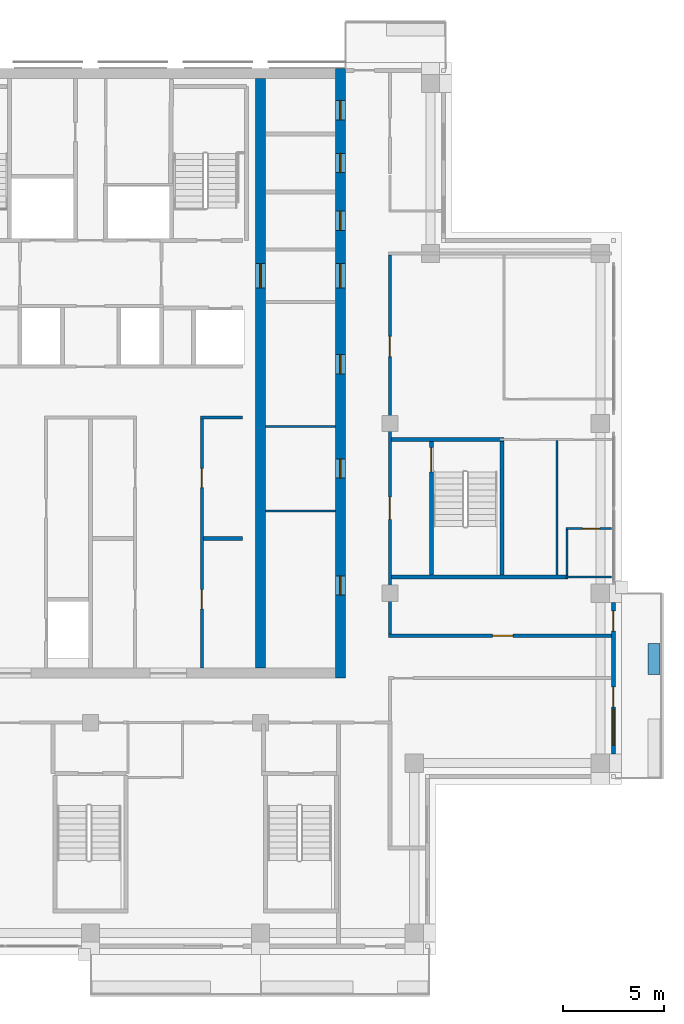
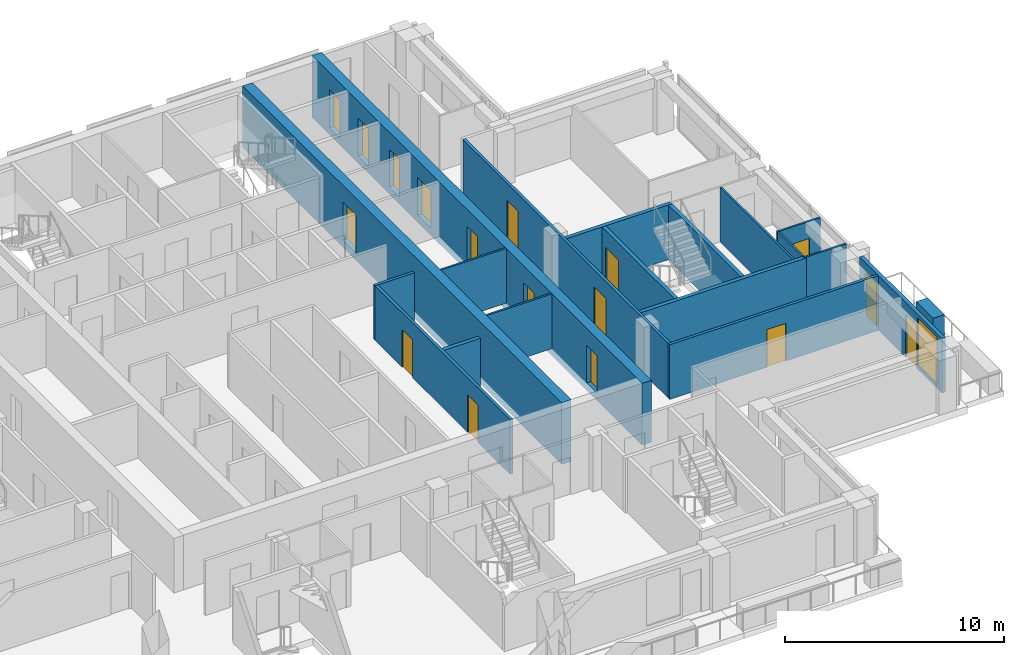
# One storey, part 11 of 17: 19 walls, 17 doors, 1 window, 18 openings.
"""IFC4 building model written with IfcOpenShell, lengths in metres."""

from ifc_helpers import new_model, si_unit, direction, frame, frame_2d, origin, place, context, subcontext, project, spatial, rectangle, extrude, material, layer, layer_set, type_object, element, fill, save


model = new_model("IFC4")

# Units and contexts
model_context = context("Model", 3, precision=1e-05, world=origin(), true_north=direction((0.0, 1.0)))
body_context = subcontext(model_context, "Body", "Model", "MODEL_VIEW")
ifc_project = project(units=[si_unit("LENGTHUNIT", "METRE"), si_unit("AREAUNIT", "SQUARE_METRE"), si_unit("VOLUMEUNIT", "CUBIC_METRE"), si_unit("PLANEANGLEUNIT", "RADIAN"), si_unit("MASSUNIT", "GRAM", prefix="KILO")], contexts=[model_context])

# Site, building, storey
site_placement = place(None, origin())
site = spatial("IfcSite", under=ifc_project, at=site_placement, CompositionType="ELEMENT")
building_placement = place(site_placement, origin())
building = spatial("IfcBuilding", under=site, at=building_placement, Name="Vermilion Ogive Tower", CompositionType="ELEMENT")
storey_placement = place(building_placement, frame((0.0, 0.0, 257.949951171875)))
storey = spatial("IfcBuildingStorey", under=building, at=storey_placement, Name="L68", CompositionType="ELEMENT", Elevation=257.949951171875)

# Wall, openings, doors
ifc_material_1 = material(Name="Concrete B60", Category="concrete")
ifc_layer_1 = layer(ifc_material_1, 0.5)
ifc_layer_set_1 = layer_set([ifc_layer_1], Name="Core wall 500 B60")
wall_type_1 = type_object("IfcWallType", Name="Core wall 500 B60", PredefinedType="SHEAR", material=ifc_layer_set_1)
wall_1_placement = place(storey_placement, frame((12.35009765625, -8.39990234375, -0.39990234375), z_axis=(0.0, 0.0, 1.0), x_axis=(0.0, 1.0, 0.0)))
wall_1 = element("IfcWall", 1, at=wall_1_placement, inside=storey, type_object=wall_type_1, Name="L68-CORE-E", PredefinedType="SHEAR", context=body_context, shape_type="SweptSolid", body=[
    extrude(rectangle(XDim=30.14990234375, YDim=0.5, at=frame_2d((15.074951171875, 0.0))), origin(), (0.0, 0.0, 1.0), 3.449951171875),
])
opening_1_placement = place(wall_1_placement, frame((4.112548828125, 0.0, 0.39990234375)))
opening_1 = element("IfcOpeningElement", 2, at=opening_1_placement, cuts=wall_1, Name="Opening DAC122", PredefinedType="OPENING", context=body_context, shape_type="SweptSolid", body=[
    extrude(rectangle(XDim=0.949951171875, YDim=2.10009765625, at=frame_2d((0.47509765625, 1.050048828125))), frame((0.0, 0.260009765625, 0.0), z_axis=(0.0, -1.0, 0.0), x_axis=(1.0, 0.0, 0.0)), (0.0, 0.0, 1.0), 0.52001953125),
])
opening_2_placement = place(wall_1_placement, frame((9.8896484375, 0.0, 0.39990234375)))
opening_2 = element("IfcOpeningElement", 3, at=opening_2_placement, cuts=wall_1, Name="Opening DAC123", PredefinedType="OPENING", context=body_context, shape_type="SweptSolid", body=[
    extrude(rectangle(XDim=0.949951171875, YDim=2.10009765625, at=frame_2d((0.47509765625, 1.050048828125))), frame((0.0, 0.260009765625, 0.0), z_axis=(0.0, -1.0, 0.0), x_axis=(1.0, 0.0, 0.0)), (0.0, 0.0, 1.0), 0.52001953125),
])
opening_3_placement = place(wall_1_placement, frame((15.052001953125, 0.0, 0.39990234375)))
opening_3 = element("IfcOpeningElement", 4, at=opening_3_placement, cuts=wall_1, Name="Opening DAC124", PredefinedType="OPENING", context=body_context, shape_type="SweptSolid", body=[
    extrude(rectangle(XDim=0.949951171875, YDim=2.10009765625, at=frame_2d((0.47509765625, 1.050048828125))), frame((0.0, 0.260009765625, 0.0), z_axis=(0.0, -1.0, 0.0), x_axis=(1.0, 0.0, 0.0)), (0.0, 0.0, 1.0), 0.52001953125),
])
opening_4_placement = place(wall_1_placement, frame((22.1435546875, 0.0, 0.39990234375)))
opening_4 = element("IfcOpeningElement", 5, at=opening_4_placement, cuts=wall_1, Name="Opening DAC125", PredefinedType="OPENING", context=body_context, shape_type="SweptSolid", body=[
    extrude(rectangle(XDim=0.949951171875, YDim=2.10009765625, at=frame_2d((0.47509765625, 1.050048828125))), frame((0.0, 0.260009765625, 0.0), z_axis=(0.0, -1.0, 0.0), x_axis=(1.0, 0.0, 0.0)), (0.0, 0.0, 1.0), 0.52001953125),
])
opening_5_placement = place(wall_1_placement, frame((24.998291015625, 0.0, 0.39990234375)))
opening_5 = element("IfcOpeningElement", 6, at=opening_5_placement, cuts=wall_1, Name="Opening DAC126", PredefinedType="OPENING", context=body_context, shape_type="SweptSolid", body=[
    extrude(rectangle(XDim=0.949951171875, YDim=2.10009765625, at=frame_2d((0.47509765625, 1.050048828125))), frame((0.0, 0.260009765625, 0.0), z_axis=(0.0, -1.0, 0.0), x_axis=(1.0, 0.0, 0.0)), (0.0, 0.0, 1.0), 0.52001953125),
])
opening_6_placement = place(wall_1_placement, frame((27.604736328125, 0.0, 0.39990234375)))
opening_6 = element("IfcOpeningElement", 7, at=opening_6_placement, cuts=wall_1, Name="Opening DAC127", PredefinedType="OPENING", context=body_context, shape_type="SweptSolid", body=[
    extrude(rectangle(XDim=0.949951171875, YDim=2.10009765625, at=frame_2d((0.47509765625, 1.050048828125))), frame((0.0, 0.260009765625, 0.0), z_axis=(0.0, -1.0, 0.0), x_axis=(1.0, 0.0, 0.0)), (0.0, 0.0, 1.0), 0.52001953125),
])
opening_7_placement = place(wall_1_placement, frame((19.300048828125, 0.0, 0.39990234375)))
opening_7 = element("IfcOpeningElement", 8, at=opening_7_placement, cuts=wall_1, Name="Opening DAL028", PredefinedType="OPENING", context=body_context, shape_type="SweptSolid", body=[
    extrude(rectangle(XDim=1.199951171875, YDim=2.10009765625, at=frame_2d((0.60009765625, 1.050048828125))), frame((0.0, 0.260009765625, 0.0), z_axis=(0.0, -1.0, 0.0), x_axis=(1.0, 0.0, 0.0)), (0.0, 0.0, 1.0), 0.52001953125),
])
ifc_material_2 = material(Name="Timber door leaf", Category="wood")
door_type_1 = type_object("IfcDoorType", Name="Link door 1200 x 2100 FD60S", OperationType="SINGLE_SWING_LEFT", PredefinedType="DOOR", material=ifc_material_2)
door_1_placement = place(opening_7_placement, origin())
door_1 = element("IfcDoor", 9, at=door_1_placement, inside=storey, type_object=door_type_1, Name="L68-CKE-XL", OperationType="SINGLE_SWING_LEFT", OverallHeight=2.10009765625, OverallWidth=1.199951171875, PredefinedType="DOOR", context=body_context, shape_type="SweptSolid", body=[
    extrude(rectangle(XDim=1.199951171875, YDim=2.10009765625, at=frame_2d((0.60009765625, 1.050048828125))), frame((0.0, 0.02490234375, 0.0), z_axis=(0.0, -1.0, 0.0), x_axis=(1.0, 0.0, 0.0)), (0.0, 0.0, 1.0), 0.050048828125),
])
fill(opening_7, door_1)
ifc_material_3 = material(Name="Timber door leaf", Category="wood")
door_type_2 = type_object("IfcDoorType", Name="Service door 950 x 2100 FD60", OperationType="SINGLE_SWING_LEFT", PredefinedType="DOOR", material=ifc_material_3)
door_2_placement = place(opening_1_placement, origin())
door_2 = element("IfcDoor", 10, at=door_2_placement, inside=storey, type_object=door_type_2, Name="L68-CKE-XR0", OperationType="SINGLE_SWING_LEFT", OverallHeight=2.10009765625, OverallWidth=0.949951171875, PredefinedType="DOOR", context=body_context, shape_type="SweptSolid", body=[
    extrude(rectangle(XDim=0.949951171875, YDim=2.10009765625, at=frame_2d((0.47509765625, 1.050048828125))), frame((0.0, 0.02490234375, 0.0), z_axis=(0.0, -1.0, 0.0), x_axis=(1.0, 0.0, 0.0)), (0.0, 0.0, 1.0), 0.050048828125),
])
fill(opening_1, door_2)
door_3_placement = place(opening_2_placement, origin())
door_3 = element("IfcDoor", 11, at=door_3_placement, inside=storey, type_object=door_type_2, Name="L68-CKE-XR1", OperationType="SINGLE_SWING_LEFT", OverallHeight=2.10009765625, OverallWidth=0.949951171875, PredefinedType="DOOR", context=body_context, shape_type="SweptSolid", body=[
    extrude(rectangle(XDim=0.949951171875, YDim=2.10009765625, at=frame_2d((0.47509765625, 1.050048828125))), frame((0.0, 0.02490234375, 0.0), z_axis=(0.0, -1.0, 0.0), x_axis=(1.0, 0.0, 0.0)), (0.0, 0.0, 1.0), 0.050048828125),
])
fill(opening_2, door_3)
door_4_placement = place(opening_3_placement, origin())
door_4 = element("IfcDoor", 12, at=door_4_placement, inside=storey, type_object=door_type_2, Name="L68-CKE-XR2", OperationType="SINGLE_SWING_LEFT", OverallHeight=2.10009765625, OverallWidth=0.949951171875, PredefinedType="DOOR", context=body_context, shape_type="SweptSolid", body=[
    extrude(rectangle(XDim=0.949951171875, YDim=2.10009765625, at=frame_2d((0.47509765625, 1.050048828125))), frame((0.0, 0.02490234375, 0.0), z_axis=(0.0, -1.0, 0.0), x_axis=(1.0, 0.0, 0.0)), (0.0, 0.0, 1.0), 0.050048828125),
])
fill(opening_3, door_4)
door_5_placement = place(opening_4_placement, origin())
door_5 = element("IfcDoor", 13, at=door_5_placement, inside=storey, type_object=door_type_2, Name="L68-CKE-XR3", OperationType="SINGLE_SWING_LEFT", OverallHeight=2.10009765625, OverallWidth=0.949951171875, PredefinedType="DOOR", context=body_context, shape_type="SweptSolid", body=[
    extrude(rectangle(XDim=0.949951171875, YDim=2.10009765625, at=frame_2d((0.47509765625, 1.050048828125))), frame((0.0, 0.02490234375, 0.0), z_axis=(0.0, -1.0, 0.0), x_axis=(1.0, 0.0, 0.0)), (0.0, 0.0, 1.0), 0.050048828125),
])
fill(opening_4, door_5)
door_6_placement = place(opening_5_placement, origin())
door_6 = element("IfcDoor", 14, at=door_6_placement, inside=storey, type_object=door_type_2, Name="L68-CKE-XR4", OperationType="SINGLE_SWING_LEFT", OverallHeight=2.10009765625, OverallWidth=0.949951171875, PredefinedType="DOOR", context=body_context, shape_type="SweptSolid", body=[
    extrude(rectangle(XDim=0.949951171875, YDim=2.10009765625, at=frame_2d((0.47509765625, 1.050048828125))), frame((0.0, 0.02490234375, 0.0), z_axis=(0.0, -1.0, 0.0), x_axis=(1.0, 0.0, 0.0)), (0.0, 0.0, 1.0), 0.050048828125),
])
fill(opening_5, door_6)
door_7_placement = place(opening_6_placement, origin())
door_7 = element("IfcDoor", 15, at=door_7_placement, inside=storey, type_object=door_type_2, Name="L68-CKE-XR5", OperationType="SINGLE_SWING_LEFT", OverallHeight=2.10009765625, OverallWidth=0.949951171875, PredefinedType="DOOR", context=body_context, shape_type="SweptSolid", body=[
    extrude(rectangle(XDim=0.949951171875, YDim=2.10009765625, at=frame_2d((0.47509765625, 1.050048828125))), frame((0.0, 0.02490234375, 0.0), z_axis=(0.0, -1.0, 0.0), x_axis=(1.0, 0.0, 0.0)), (0.0, 0.0, 1.0), 0.050048828125),
])
fill(opening_6, door_7)

# Wall, opening, door
wall_2_placement = place(storey_placement, frame((8.39990234375, -7.89990234375, -0.39990234375), z_axis=(0.0, 0.0, 1.0), x_axis=(0.0, 1.0, 0.0)))
wall_2 = element("IfcWall", 16, at=wall_2_placement, inside=storey, type_object=wall_type_1, Name="L68-CORE-WEB2", PredefinedType="SHEAR", context=body_context, shape_type="SweptSolid", body=[
    extrude(rectangle(XDim=29.14990234375, YDim=0.5, at=frame_2d((14.574951171875, 0.0))), origin(), (0.0, 0.0, 1.0), 3.449951171875),
])
opening_8_placement = place(wall_2_placement, frame((18.800048828125, 0.0, 0.39990234375)))
opening_8 = element("IfcOpeningElement", 17, at=opening_8_placement, cuts=wall_2, Name="Opening DAO023", PredefinedType="OPENING", context=body_context, shape_type="SweptSolid", body=[
    extrude(rectangle(XDim=1.199951171875, YDim=2.10009765625, at=frame_2d((0.60009765625, 1.050048828125))), frame((0.0, 0.260009765625, 0.0), z_axis=(0.0, -1.0, 0.0), x_axis=(1.0, 0.0, 0.0)), (0.0, 0.0, 1.0), 0.52001953125),
])
door_8_placement = place(opening_8_placement, origin())
door_8 = element("IfcDoor", 18, at=door_8_placement, inside=storey, type_object=door_type_1, Name="L68-CKE-XW", OperationType="SINGLE_SWING_LEFT", OverallHeight=2.10009765625, OverallWidth=1.199951171875, PredefinedType="DOOR", context=body_context, shape_type="SweptSolid", body=[
    extrude(rectangle(XDim=1.199951171875, YDim=2.10009765625, at=frame_2d((0.60009765625, 1.050048828125))), frame((0.0, 0.02490234375, 0.0), z_axis=(0.0, -1.0, 0.0), x_axis=(1.0, 0.0, 0.0)), (0.0, 0.0, 1.0), 0.050048828125),
])
fill(opening_8, door_8)

# Wall
ifc_material_4 = material(Name="Gypsum board partition on steel studs", Category="steel")
ifc_layer_2 = layer(ifc_material_4, 0.10009765625)
ifc_layer_set_2 = layer_set([ifc_layer_2], Name="Partition 100 bath")
wall_type_2 = type_object("IfcWallType", Name="Partition 100 bath", PredefinedType="PARTITIONING", material=ifc_layer_set_2)
wall_3_placement = place(storey_placement, frame((23.5, -3.39990234375, 0.0), z_axis=(0.0, 0.0, 1.0), x_axis=(1.0, 0.0, 0.0)))
element("IfcWall", 19, at=wall_3_placement, inside=storey, type_object=wall_type_2, Name="L68-W-W021", PredefinedType="PARTITIONING", context=body_context, shape_type="SweptSolid", body=[
    extrude(rectangle(XDim=2.25, YDim=0.10009765625, at=frame_2d((1.125, 0.0))), origin(), (0.0, 0.0, 1.0), 3.050048828125),
])

# Wall, opening, door
wall_4_placement = place(storey_placement, frame((23.5, -1.0, 0.0), z_axis=(0.0, 0.0, 1.0), x_axis=(1.0, 0.0, 0.0)))
wall_4 = element("IfcWall", 20, at=wall_4_placement, inside=storey, type_object=wall_type_2, Name="L68-W-W022", PredefinedType="PARTITIONING", context=body_context, shape_type="SweptSolid", body=[
    extrude(rectangle(XDim=2.25, YDim=0.10009765625, at=frame_2d((1.125, 0.0))), origin(), (0.0, 0.0, 1.0), 3.050048828125),
])
opening_9_placement = place(wall_4_placement, frame((0.824951171875, 0.0, 0.0)))
opening_9 = element("IfcOpeningElement", 21, at=opening_9_placement, cuts=wall_4, Name="Opening D5G5018", PredefinedType="OPENING", context=body_context, shape_type="SweptSolid", body=[
    extrude(rectangle(XDim=0.85009765625, YDim=2.10009765625, at=frame_2d((0.425048828125, 1.050048828125))), frame((0.0, 0.06005859375, 0.0), z_axis=(0.0, -1.0, 0.0), x_axis=(1.0, 0.0, 0.0)), (0.0, 0.0, 1.0), 0.1201171875),
])
ifc_material_5 = material(Name="Timber door leaf", Category="wood")
door_type_3 = type_object("IfcDoorType", Name="Bath door 850 x 2100 FD30", OperationType="SINGLE_SWING_LEFT", PredefinedType="DOOR", material=ifc_material_5)
door_9_placement = place(opening_9_placement, origin())
door_9 = element("IfcDoor", 22, at=door_9_placement, inside=storey, type_object=door_type_3, Name="L68-D-D018", OperationType="SINGLE_SWING_RIGHT", OverallHeight=2.10009765625, OverallWidth=0.85009765625, PredefinedType="DOOR", context=body_context, shape_type="SweptSolid", body=[
    extrude(rectangle(XDim=0.85009765625, YDim=2.10009765625, at=frame_2d((0.425048828125, 1.050048828125))), frame((0.0, 0.02490234375, 0.0), z_axis=(0.0, -1.0, 0.0), x_axis=(1.0, 0.0, 0.0)), (0.0, 0.0, 1.0), 0.050048828125),
])
fill(opening_9, door_9)

# Walls
wall_5_placement = place(storey_placement, frame((23.550048828125, -3.300048828125, 0.0), z_axis=(0.0, 0.0, 1.0), x_axis=(0.0, 1.0, 0.0)))
element("IfcWall", 23, at=wall_5_placement, inside=storey, type_object=wall_type_2, Name="L68-W-W067", PredefinedType="PARTITIONING", context=body_context, shape_type="SweptSolid", body=[
    extrude(rectangle(XDim=2.25, YDim=0.10009765625, at=frame_2d((1.125, 0.0))), origin(), (0.0, 0.0, 1.0), 3.050048828125),
])
for number, where, z_axis, x_axis, name in (
    (24, (8.65087890625, -0.125, 0.0), (0.0, 0.0, 1.0), (1.0, 0.0, 0.0), "L68-CKE-W-W001"),
    (25, (8.65087890625, 4.053955078125, 0.0), (0.0, 0.0, 1.0), (1.0, 0.0, 0.0), "L68-CKE-W-W002"),
):
    element("IfcWall", number, at=place(storey_placement, frame(where, z_axis=z_axis, x_axis=x_axis)), inside=storey, type_object=wall_type_2, Name=name, PredefinedType="PARTITIONING", context=body_context, shape_type="SweptSolid", body=[
        extrude(rectangle(XDim=3.4482421875, YDim=0.10009765625, at=frame_2d((1.72412109375, 0.0))), origin(), (0.0, 0.0, 1.0), 3.050048828125),
    ])
ifc_material_6 = material(Name="Gypsum board partition on steel studs", Category="steel")
ifc_layer_3 = layer(ifc_material_6, 0.10009765625)
ifc_layer_set_3 = layer_set([ifc_layer_3], Name="Partition 100 inner")
wall_type_3 = type_object("IfcWallType", Name="Partition 100 inner", PredefinedType="PARTITIONING", material=ifc_layer_set_3)
wall_6_placement = place(storey_placement, frame((23.050048828125, -3.300048828125, 0.0), z_axis=(0.0, 0.0, 1.0), x_axis=(0.0, 1.0, 0.0)))
element("IfcWall", 26, at=wall_6_placement, inside=storey, type_object=wall_type_3, Name="L68-W-W066", PredefinedType="PARTITIONING", context=body_context, shape_type="SweptSolid", body=[
    extrude(rectangle(XDim=6.650146484375, YDim=0.10009765625, at=frame_2d((3.3251953125, 0.0))), origin(), (0.0, 0.0, 1.0), 3.050048828125),
])

# Wall, opening, door
ifc_material_7 = material(Name="Gypsum board partition on steel studs", Category="steel")
ifc_layer_4 = layer(ifc_material_7, 0.14990234375)
ifc_layer_set_4 = layer_set([ifc_layer_4], Name="Partition 150 corridor")
wall_type_4 = type_object("IfcWallType", Name="Partition 150 corridor", PredefinedType="PARTITIONING", material=ifc_layer_set_4)
wall_7_placement = place(storey_placement, frame((14.72509765625, -6.300048828125, 0.0), z_axis=(0.0, 0.0, 1.0), x_axis=(1.0, 0.0, 0.0)))
wall_7 = element("IfcWall", 27, at=wall_7_placement, inside=storey, type_object=wall_type_4, Name="L68-W-W017", PredefinedType="PARTITIONING", context=body_context, shape_type="SweptSolid", body=[
    extrude(rectangle(XDim=11.02490234375, YDim=0.14990234375, at=frame_2d((5.512451171875, 0.0))), origin(), (0.0, 0.0, 1.0), 3.050048828125),
])
opening_10_placement = place(wall_7_placement, frame((5.14990234375, 0.0, 0.0)))
opening_10 = element("IfcOpeningElement", 28, at=opening_10_placement, cuts=wall_7, Name="Opening D5G5033", PredefinedType="OPENING", context=body_context, shape_type="SweptSolid", body=[
    extrude(rectangle(XDim=1.0, YDim=2.10009765625, at=frame_2d((0.5, 1.050048828125))), frame((0.0, 0.0849609375, 0.0), z_axis=(0.0, -1.0, 0.0), x_axis=(1.0, 0.0, 0.0)), (0.0, 0.0, 1.0), 0.169921875),
])
ifc_material_8 = material(Name="Timber door leaf", Category="wood")
door_type_4 = type_object("IfcDoorType", Name="Unit door 1000 x 2100 FD30S", OperationType="SINGLE_SWING_LEFT", PredefinedType="DOOR", material=ifc_material_8)
door_10_placement = place(opening_10_placement, origin())
door_10 = element("IfcDoor", 29, at=door_10_placement, inside=storey, type_object=door_type_4, Name="L68-D-D033", OperationType="SINGLE_SWING_RIGHT", OverallHeight=2.10009765625, OverallWidth=1.0, PredefinedType="DOOR", context=body_context, shape_type="SweptSolid", body=[
    extrude(rectangle(XDim=1.0, YDim=2.10009765625, at=frame_2d((0.5, 1.050048828125))), frame((0.0, 0.02490234375, 0.0), z_axis=(0.0, -1.0, 0.0), x_axis=(1.0, 0.0, 0.0)), (0.0, 0.0, 1.0), 0.050048828125),
])
fill(opening_10, door_10)

# Wall, openings, doors
wall_8_placement = place(storey_placement, frame((14.800048828125, -6.22509765625, 0.0), z_axis=(0.0, 0.0, 1.0), x_axis=(0.0, 1.0, 0.0)))
wall_8 = element("IfcWall", 30, at=wall_8_placement, inside=storey, type_object=wall_type_4, Name="L68-W-W059", PredefinedType="PARTITIONING", context=body_context, shape_type="SweptSolid", body=[
    extrude(rectangle(XDim=18.75, YDim=0.14990234375, at=frame_2d((9.375, 0.0))), origin(), (0.0, 0.0, 1.0), 3.050048828125),
])
opening_11_placement = place(wall_8_placement, frame((13.72509765625, 0.0, 0.0)))
opening_11 = element("IfcOpeningElement", 31, at=opening_11_placement, cuts=wall_8, Name="Opening D5G5016", PredefinedType="OPENING", context=body_context, shape_type="SweptSolid", body=[
    extrude(rectangle(XDim=1.0, YDim=2.10009765625, at=frame_2d((0.5, 1.050048828125))), frame((0.0, 0.0849609375, 0.0), z_axis=(0.0, -1.0, 0.0), x_axis=(1.0, 0.0, 0.0)), (0.0, 0.0, 1.0), 0.169921875),
])
opening_12_placement = place(wall_8_placement, frame((5.675048828125, 0.0, 0.0)))
opening_12 = element("IfcOpeningElement", 32, at=opening_12_placement, cuts=wall_8, Name="Opening D5G5027", PredefinedType="OPENING", context=body_context, shape_type="SweptSolid", body=[
    extrude(rectangle(XDim=1.10009765625, YDim=2.10009765625, at=frame_2d((0.550048828125, 1.050048828125))), frame((0.0, 0.0849609375, 0.0), z_axis=(0.0, -1.0, 0.0), x_axis=(1.0, 0.0, 0.0)), (0.0, 0.0, 1.0), 0.169921875),
])
ifc_material_9 = material(Name="Timber door leaf", Category="wood")
door_type_5 = type_object("IfcDoorType", Name="Stair door 1100 x 2100 FD60S", OperationType="SINGLE_SWING_LEFT", PredefinedType="DOOR", material=ifc_material_9)
door_11_placement = place(opening_12_placement, origin())
door_11 = element("IfcDoor", 33, at=door_11_placement, inside=storey, type_object=door_type_5, Name="L68-D-D027", OperationType="SINGLE_SWING_LEFT", OverallHeight=2.10009765625, OverallWidth=1.10009765625, PredefinedType="DOOR", context=body_context, shape_type="SweptSolid", body=[
    extrude(rectangle(XDim=1.10009765625, YDim=2.10009765625, at=frame_2d((0.550048828125, 1.050048828125))), frame((0.0, 0.02490234375, 0.0), z_axis=(0.0, -1.0, 0.0), x_axis=(1.0, 0.0, 0.0)), (0.0, 0.0, 1.0), 0.050048828125),
])
fill(opening_12, door_11)
door_12_placement = place(opening_11_placement, origin())
door_12 = element("IfcDoor", 34, at=door_12_placement, inside=storey, type_object=door_type_4, Name="L68-D-D016", OperationType="SINGLE_SWING_RIGHT", OverallHeight=2.10009765625, OverallWidth=1.0, PredefinedType="DOOR", context=body_context, shape_type="SweptSolid", body=[
    extrude(rectangle(XDim=1.0, YDim=2.10009765625, at=frame_2d((0.5, 1.050048828125))), frame((0.0, 0.02490234375, 0.0), z_axis=(0.0, -1.0, 0.0), x_axis=(1.0, 0.0, 0.0)), (0.0, 0.0, 1.0), 0.050048828125),
])
fill(opening_11, door_12)

# Wall
wall_9_placement = place(storey_placement, frame((5.425048828125, 4.5, 0.0), z_axis=(0.0, 0.0, 1.0), x_axis=(1.0, 0.0, 0.0)))
element("IfcWall", 35, at=wall_9_placement, inside=storey, type_object=wall_type_4, Name="L68-CK-W-W009", PredefinedType="PARTITIONING", context=body_context, shape_type="SweptSolid", body=[
    extrude(rectangle(XDim=2.074951171875, YDim=0.14990234375, at=frame_2d((1.03759765625, 0.0))), origin(), (0.0, 0.0, 1.0), 3.050048828125),
])

# Wall, openings, doors
wall_10_placement = place(storey_placement, frame((5.5, -7.89892578125, 0.0), z_axis=(0.0, 0.0, 1.0), x_axis=(0.0, 1.0, 0.0)))
wall_10 = element("IfcWall", 36, at=wall_10_placement, inside=storey, type_object=wall_type_4, Name="L68-CK-W-W037", PredefinedType="PARTITIONING", context=body_context, shape_type="SweptSolid", body=[
    extrude(rectangle(XDim=12.323974609375, YDim=0.14990234375, at=frame_2d((6.162109375, 0.0))), origin(), (0.0, 0.0, 1.0), 3.050048828125),
])
opening_13_placement = place(wall_10_placement, frame((2.923828125, 0.0, 0.0)))
opening_13 = element("IfcOpeningElement", 37, at=opening_13_placement, cuts=wall_10, Name="Opening DAA641", PredefinedType="OPENING", context=body_context, shape_type="SweptSolid", body=[
    extrude(rectangle(XDim=0.949951171875, YDim=2.10009765625, at=frame_2d((0.47509765625, 1.050048828125))), frame((0.0, 0.0849609375, 0.0), z_axis=(0.0, -1.0, 0.0), x_axis=(1.0, 0.0, 0.0)), (0.0, 0.0, 1.0), 0.169921875),
])
opening_14_placement = place(wall_10_placement, frame((8.923828125, 0.0, 0.0)))
opening_14 = element("IfcOpeningElement", 38, at=opening_14_placement, cuts=wall_10, Name="Opening DAA642", PredefinedType="OPENING", context=body_context, shape_type="SweptSolid", body=[
    extrude(rectangle(XDim=0.949951171875, YDim=2.10009765625, at=frame_2d((0.47509765625, 1.050048828125))), frame((0.0, 0.0849609375, 0.0), z_axis=(0.0, -1.0, 0.0), x_axis=(1.0, 0.0, 0.0)), (0.0, 0.0, 1.0), 0.169921875),
])
door_13_placement = place(opening_13_placement, origin())
door_13 = element("IfcDoor", 39, at=door_13_placement, inside=storey, type_object=door_type_2, Name="L68-CK-D-D009", OperationType="SINGLE_SWING_LEFT", OverallHeight=2.10009765625, OverallWidth=0.949951171875, PredefinedType="DOOR", context=body_context, shape_type="SweptSolid", body=[
    extrude(rectangle(XDim=0.949951171875, YDim=2.10009765625, at=frame_2d((0.47509765625, 1.050048828125))), frame((0.0, 0.02490234375, 0.0), z_axis=(0.0, -1.0, 0.0), x_axis=(1.0, 0.0, 0.0)), (0.0, 0.0, 1.0), 0.050048828125),
])
fill(opening_13, door_13)
door_14_placement = place(opening_14_placement, origin())
door_14 = element("IfcDoor", 40, at=door_14_placement, inside=storey, type_object=door_type_2, Name="L68-CK-D-D010", OperationType="SINGLE_SWING_LEFT", OverallHeight=2.10009765625, OverallWidth=0.949951171875, PredefinedType="DOOR", context=body_context, shape_type="SweptSolid", body=[
    extrude(rectangle(XDim=0.949951171875, YDim=2.10009765625, at=frame_2d((0.47509765625, 1.050048828125))), frame((0.0, 0.02490234375, 0.0), z_axis=(0.0, -1.0, 0.0), x_axis=(1.0, 0.0, 0.0)), (0.0, 0.0, 1.0), 0.050048828125),
])
fill(opening_14, door_14)

# Walls
ifc_material_10 = material(Name="Gypsum board partition on steel studs", Category="steel")
ifc_layer_5 = layer(ifc_material_10, 0.199951171875)
ifc_layer_set_5 = layer_set([ifc_layer_5], Name="Partition 200 party")
wall_type_5 = type_object("IfcWallType", Name="Partition 200 party", PredefinedType="PARTITIONING", material=ifc_layer_set_5)
wall_11_placement = place(storey_placement, frame((5.574951171875, -1.5, 0.0), z_axis=(0.0, 0.0, 1.0), x_axis=(1.0, 0.0, 0.0)))
element("IfcWall", 41, at=wall_11_placement, inside=storey, type_object=wall_type_5, Name="L68-CK-W-W005", PredefinedType="PARTITIONING", context=body_context, shape_type="SweptSolid", body=[
    extrude(rectangle(XDim=1.925048828125, YDim=0.199951171875, at=frame_2d((0.96240234375, 0.0))), origin(), (0.0, 0.0, 1.0), 3.050048828125),
])
ifc_material_11 = material(Name="Concrete B60", Category="concrete")
ifc_layer_6 = layer(ifc_material_11, 0.199951171875)
ifc_layer_set_6 = layer_set([ifc_layer_6], Name="Stair shaft wall 200 Concrete B60")
wall_type_6 = type_object("IfcWallType", Name="Stair shaft wall 200 Concrete B60", PredefinedType="SOLIDWALL", material=ifc_layer_set_6)
wall_12_placement = place(storey_placement, frame((14.875, -3.39990234375, 0.0), z_axis=(0.0, 0.0, 1.0), x_axis=(1.0, 0.0, 0.0)))
element("IfcWall", 42, at=wall_12_placement, inside=storey, type_object=wall_type_6, Name="L68-W-W020", PredefinedType="SOLIDWALL", context=body_context, shape_type="SweptSolid", body=[
    extrude(rectangle(XDim=8.72509765625, YDim=0.199951171875, at=frame_2d((4.362548828125, 0.0))), origin(), (0.0, 0.0, 1.0), 3.050048828125),
])
wall_13_placement = place(storey_placement, frame((14.875, 3.39990234375, 0.0), z_axis=(0.0, 0.0, 1.0), x_axis=(1.0, 0.0, 0.0)))
element("IfcWall", 43, at=wall_13_placement, inside=storey, type_object=wall_type_6, Name="L68-W-W026", PredefinedType="SOLIDWALL", context=body_context, shape_type="SweptSolid", body=[
    extrude(rectangle(XDim=5.574951171875, YDim=0.199951171875, at=frame_2d((2.78759765625, 0.0))), origin(), (0.0, 0.0, 1.0), 3.050048828125),
])

# Wall, opening, door
wall_14_placement = place(storey_placement, frame((16.85009765625, -3.300048828125, 0.0), z_axis=(0.0, 0.0, 1.0), x_axis=(0.0, 1.0, 0.0)))
wall_14 = element("IfcWall", 44, at=wall_14_placement, inside=storey, type_object=wall_type_6, Name="L68-W-W062", PredefinedType="SOLIDWALL", context=body_context, shape_type="SweptSolid", body=[
    extrude(rectangle(XDim=6.60009765625, YDim=0.199951171875, at=frame_2d((3.300048828125, 0.0))), origin(), (0.0, 0.0, 1.0), 3.050048828125),
])
opening_15_placement = place(wall_14_placement, frame((5.10009765625, 0.0, 0.0)))
opening_15 = element("IfcOpeningElement", 45, at=opening_15_placement, cuts=wall_14, Name="Opening D5G5028", PredefinedType="OPENING", context=body_context, shape_type="SweptSolid", body=[
    extrude(rectangle(XDim=1.199951171875, YDim=2.10009765625, at=frame_2d((0.60009765625, 1.050048828125))), frame((0.0, 0.10986328125, 0.0), z_axis=(0.0, -1.0, 0.0), x_axis=(1.0, 0.0, 0.0)), (0.0, 0.0, 1.0), 0.219970703125),
])
ifc_material_12 = material(Name="Timber door leaf", Category="wood")
door_type_6 = type_object("IfcDoorType", Name="Stair door 1200 x 2100 FD60S", OperationType="SINGLE_SWING_LEFT", PredefinedType="DOOR", material=ifc_material_12)
door_15_placement = place(opening_15_placement, origin())
door_15 = element("IfcDoor", 46, at=door_15_placement, inside=storey, type_object=door_type_6, Name="L68-D-D028", OperationType="SINGLE_SWING_LEFT", OverallHeight=2.10009765625, OverallWidth=1.199951171875, PredefinedType="DOOR", context=body_context, shape_type="SweptSolid", body=[
    extrude(rectangle(XDim=1.199951171875, YDim=2.10009765625, at=frame_2d((0.60009765625, 1.050048828125))), frame((0.0, 0.02490234375, 0.0), z_axis=(0.0, -1.0, 0.0), x_axis=(1.0, 0.0, 0.0)), (0.0, 0.0, 1.0), 0.050048828125),
])
fill(opening_15, door_15)

# Walls
wall_15_placement = place(storey_placement, frame((20.35009765625, -3.300048828125, 0.0), z_axis=(0.0, 0.0, 1.0), x_axis=(0.0, 1.0, 0.0)))
element("IfcWall", 47, at=wall_15_placement, inside=storey, type_object=wall_type_6, Name="L68-W-W064", PredefinedType="SOLIDWALL", context=body_context, shape_type="SweptSolid", body=[
    extrude(rectangle(XDim=6.60009765625, YDim=0.199951171875, at=frame_2d((3.300048828125, 0.0))), origin(), (0.0, 0.0, 1.0), 3.050048828125),
])
ifc_material_13 = material(Name="Concrete B40", Category="concrete")
ifc_layer_7 = layer(ifc_material_13, 0.60009765625)
ifc_layer_set_7 = layer_set([ifc_layer_7], Name="Structural planter")
wall_type_7 = type_object("IfcWallType", Name="Structural planter", PredefinedType="USERDEFINED", material=ifc_layer_set_7)
wall_16_placement = place(storey_placement, frame((27.86083984375, -8.22509765625, -0.0400390625), z_axis=(0.0, 0.0, 1.0), x_axis=(0.0, 1.0, 0.0)))
element("IfcWall", 48, at=wall_16_placement, inside=storey, type_object=wall_type_7, Name="Planter E01A2", ObjectType="PLANTER", PredefinedType="USERDEFINED", context=body_context, shape_type="SweptSolid", body=[
    extrude(rectangle(XDim=1.550048828125, YDim=0.60009765625, at=frame_2d((0.77490234375, 0.0))), origin(), (0.0, 0.0, 1.0), 1.2001953125),
])

# Wall, openings, doors, window
ifc_material_14 = material(Name="Aluminium window wall framing", Category="aluminium")
ifc_layer_8 = layer(ifc_material_14, 0.199951171875)
ifc_layer_set_8 = layer_set([ifc_layer_8], Name="Window wall")
wall_type_8 = type_object("IfcWallType", Name="Window wall", PredefinedType="STANDARD", material=ifc_layer_set_8)
wall_17_placement = place(storey_placement, frame((25.85009765625, -12.14990234375, 0.0), z_axis=(0.0, 0.0, 1.0), x_axis=(0.0, 1.0, 0.0)))
wall_17 = element("IfcWall", 49, at=wall_17_placement, inside=storey, type_object=wall_type_8, Name="Window wall E1", PredefinedType="STANDARD", context=body_context, shape_type="SweptSolid", body=[
    extrude(rectangle(XDim=7.5, YDim=0.199951171875, at=frame_2d((3.75, 0.0))), origin(), (0.0, 0.0, 1.0), 3.050048828125),
])
opening_16_placement = place(wall_17_placement, frame((0.425048828125, 0.0, 0.199951171875)))
opening_16 = element("IfcOpeningElement", 50, at=opening_16_placement, cuts=wall_17, Name="Opening W1-E97", PredefinedType="OPENING", context=body_context, shape_type="SweptSolid", body=[
    extrude(rectangle(XDim=1.800048828125, YDim=2.64990234375, at=frame_2d((0.89990234375, 1.324951171875))), frame((0.0, 0.10986328125, 0.0), z_axis=(0.0, -1.0, 0.0), x_axis=(1.0, 0.0, 0.0)), (0.0, 0.0, 1.0), 0.219970703125),
])
opening_17_placement = place(wall_17_placement, frame((2.324951171875, 0.0, 0.0)))
opening_17 = element("IfcOpeningElement", 51, at=opening_17_placement, cuts=wall_17, Name="Opening D1-E97", PredefinedType="OPENING", context=body_context, shape_type="SweptSolid", body=[
    extrude(rectangle(XDim=1.0, YDim=2.39990234375, at=frame_2d((0.5, 1.199951171875))), frame((0.0, 0.10986328125, 0.0), z_axis=(0.0, -1.0, 0.0), x_axis=(1.0, 0.0, 0.0)), (0.0, 0.0, 1.0), 0.219970703125),
])
opening_18_placement = place(wall_17_placement, frame((6.074951171875, 0.0, 0.0)))
opening_18 = element("IfcOpeningElement", 52, at=opening_18_placement, cuts=wall_17, Name="Opening D1-E98", PredefinedType="OPENING", context=body_context, shape_type="SweptSolid", body=[
    extrude(rectangle(XDim=1.0, YDim=2.39990234375, at=frame_2d((0.5, 1.199951171875))), frame((0.0, 0.10986328125, 0.0), z_axis=(0.0, -1.0, 0.0), x_axis=(1.0, 0.0, 0.0)), (0.0, 0.0, 1.0), 0.219970703125),
])
ifc_material_15 = material(Name="Aluminium framed glazed door", Category="aluminium")
door_type_7 = type_object("IfcDoorType", Name="Balcony door D1", OperationType="SINGLE_SWING_LEFT", PredefinedType="DOOR", material=ifc_material_15)
door_16_placement = place(opening_17_placement, origin())
door_16 = element("IfcDoor", 53, at=door_16_placement, inside=storey, type_object=door_type_7, Name="Balcony door E97", OperationType="SINGLE_SWING_LEFT", OverallHeight=2.39990234375, OverallWidth=1.0, PredefinedType="DOOR", context=body_context, shape_type="SweptSolid", body=[
    extrude(rectangle(XDim=1.0, YDim=2.39990234375, at=frame_2d((0.5, 1.199951171875))), frame((0.0, 0.02490234375, 0.0), z_axis=(0.0, -1.0, 0.0), x_axis=(1.0, 0.0, 0.0)), (0.0, 0.0, 1.0), 0.050048828125),
])
fill(opening_17, door_16)
door_17_placement = place(opening_18_placement, origin())
door_17 = element("IfcDoor", 54, at=door_17_placement, inside=storey, type_object=door_type_7, Name="Balcony door E98", OperationType="SINGLE_SWING_LEFT", OverallHeight=2.39990234375, OverallWidth=1.0, PredefinedType="DOOR", context=body_context, shape_type="SweptSolid", body=[
    extrude(rectangle(XDim=1.0, YDim=2.39990234375, at=frame_2d((0.5, 1.199951171875))), frame((0.0, 0.02490234375, 0.0), z_axis=(0.0, -1.0, 0.0), x_axis=(1.0, 0.0, 0.0)), (0.0, 0.0, 1.0), 0.050048828125),
])
fill(opening_18, door_17)
ifc_material_16 = material(Name="Aluminium framed double glazing", Category="aluminium")
window_type = type_object("IfcWindowType", Name="Guest window W1", PartitioningType="SINGLE_PANEL", PredefinedType="WINDOW", material=ifc_material_16)
window_placement = place(opening_16_placement, origin())
window = element("IfcWindow", 55, at=window_placement, inside=storey, type_object=window_type, Name="Window E97", OverallHeight=2.64990234375, OverallWidth=1.800048828125, PartitioningType="SINGLE_PANEL", PredefinedType="WINDOW", context=body_context, shape_type="SweptSolid", body=[
    extrude(rectangle(XDim=1.800048828125, YDim=2.64990234375, at=frame_2d((0.89990234375, 1.324951171875))), frame((0.0, 0.030029296875, 0.0), z_axis=(0.0, -1.0, 0.0), x_axis=(1.0, 0.0, 0.0)), (0.0, 0.0, 1.0), 0.06005859375),
])
fill(opening_16, window)

save(model, "model.ifc")
